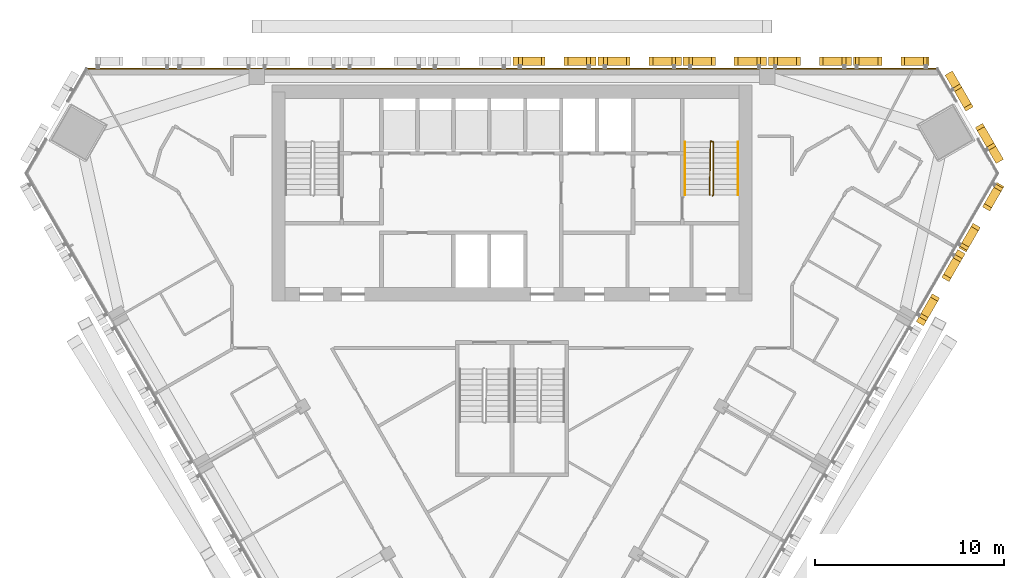
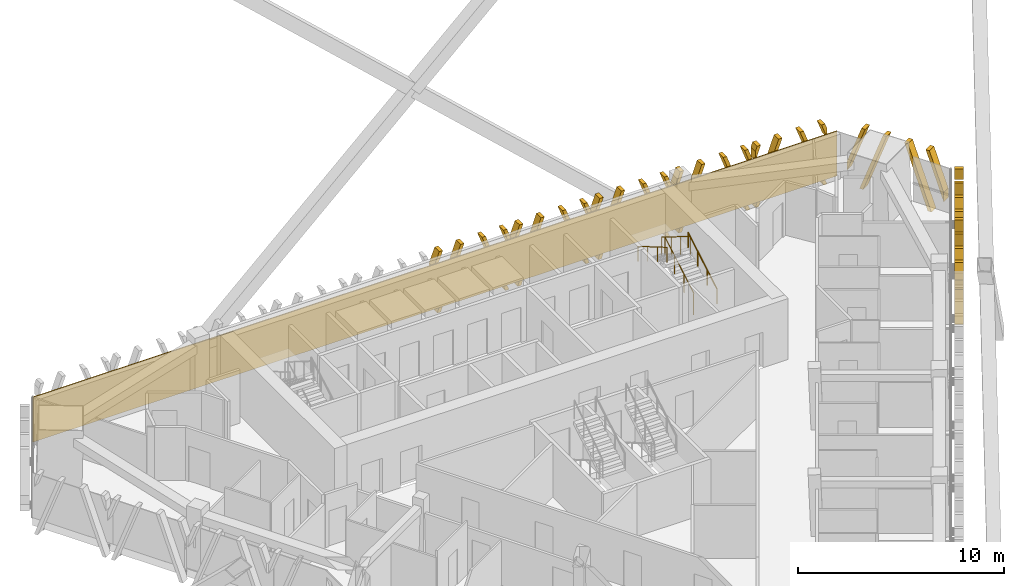
# One storey, part 16 of 17: 8 shading devices, 3 railings, 1 covering.
"""IFC4 building model written with IfcOpenShell, lengths in metres."""

from ifc_helpers import new_model, si_unit, direction, frame, frame_2d, origin, origin_2d, place, context, subcontext, project, spatial, polyline, rectangle, circle, outline, extrude, source, transform, mapped, material, layer, layer_set, type_object, element, save


model = new_model("IFC4")

# Units and contexts
model_context = context("Model", 3, precision=1e-05, world=origin(), true_north=direction((0.0, 1.0)))
body_context = subcontext(model_context, "Body", "Model", "MODEL_VIEW")
ifc_project = project(units=[si_unit("LENGTHUNIT", "METRE"), si_unit("AREAUNIT", "SQUARE_METRE"), si_unit("VOLUMEUNIT", "CUBIC_METRE"), si_unit("PLANEANGLEUNIT", "RADIAN"), si_unit("MASSUNIT", "GRAM", prefix="KILO")], contexts=[model_context])

# Site, building, storey
site_placement = place(None, origin())
site = spatial("IfcSite", under=ifc_project, at=site_placement, CompositionType="ELEMENT")
building_placement = place(site_placement, origin())
building = spatial("IfcBuilding", under=site, at=building_placement, Name="Altiplano Prism Tower", CompositionType="ELEMENT")
storey_placement = place(building_placement, frame((0.0, 0.0, 194.39990234375)))
storey = spatial("IfcBuildingStorey", under=building, at=storey_placement, Name="L50", CompositionType="ELEMENT", Elevation=194.39990234375)

# Railings
ifc_material_1 = material(Name="Steel S355", Category="steel")
railing_type_1 = type_object("IfcRailingType", Name="Stair guard 1100", PredefinedType="GUARDRAIL", material=ifc_material_1)
railing_1_placement = place(storey_placement, frame((95.60009765625, 98.25, 0.0)))
element("IfcRailing", 1, at=railing_1_placement, inside=storey, type_object=railing_type_1, Name="L50 ST2 stair guard 1", PredefinedType="GUARDRAIL", context=body_context, shape_type="SweptSolid", body=[
    extrude(circle(Radius=0.02392578125, at=origin_2d()), frame((0.0, 0.0, 1.076171875), z_axis=(0.279194930351, 0.280563532951, 0.91833234444), x_axis=(-0.708833529934, 0.705375805398, 0.0)), (0.0, 0.0, 1.0), 0.178466796875),
    extrude(circle(Radius=0.02392578125, at=origin_2d()), frame((0.0498046875, 0.050048828125, 1.23974609375), z_axis=(0.0, 0.863393664356, 0.504530851732), x_axis=(-1.0, 0.0, 0.0)), (0.0, 0.0, 1.0), 3.2431640625),
    extrude(circle(Radius=0.02392578125, at=origin_2d()), frame((0.0498046875, 2.85009765625, 2.8759765625), z_axis=(-0.948991962702, 0.315300261223, 0.0), x_axis=(-0.315300261223, -0.948991962702, 0.0)), (0.0, 0.0, 1.0), 0.157958984375),
    extrude(circle(Radius=0.02392578125, at=origin_2d()), frame((-0.10009765625, 2.89990234375, 2.8759765625), z_axis=(-0.014846418356, -0.845376787675, 0.533964109957), x_axis=(0.999845825584, -0.017559187376, 0.0)), (0.0, 0.0, 1.0), 3.37109375),
    extrude(circle(Radius=0.02099609375, at=origin_2d()), origin(), (0.0, 0.0, 1.0), 1.052001953125),
    extrude(circle(Radius=0.02099609375, at=origin_2d()), frame((0.0498046875, 0.050048828125, 0.163818359375)), (0.0, 0.0, 1.0), 1.052001953125),
    extrude(circle(Radius=0.02099609375, at=origin_2d()), frame((0.0498046875, 0.9833984375, 0.709228515625)), (0.0, 0.0, 1.0), 1.052001953125),
    extrude(circle(Radius=0.02099609375, at=origin_2d()), frame((0.0498046875, 1.916748046875, 1.254638671875)), (0.0, 0.0, 1.0), 1.052001953125),
    extrude(circle(Radius=0.02099609375, at=origin_2d()), frame((0.0498046875, 2.85009765625, 1.800048828125)), (0.0, 0.0, 1.0), 1.052001953125),
    extrude(circle(Radius=0.02099609375, at=origin_2d()), frame((-0.10009765625, 2.89990234375, 1.800048828125)), (0.0, 0.0, 1.0), 1.052001953125),
    extrude(circle(Radius=0.02099609375, at=origin_2d()), frame((-0.11669921875, 1.949951171875, 2.400146484375)), (0.0, 0.0, 1.0), 1.052001953125),
    extrude(circle(Radius=0.02099609375, at=origin_2d()), frame((-0.133544921875, 1.0, 3.0)), (0.0, 0.0, 1.0), 1.052001953125),
    extrude(circle(Radius=0.02099609375, at=origin_2d()), frame((-0.150146484375, 0.050048828125, 3.60009765625)), (0.0, 0.0, 1.0), 1.052001953125),
])
railing_type_2 = type_object("IfcRailingType", Name="Stair handrail 900", PredefinedType="HANDRAIL", material=ifc_material_1)
railing_2_placement = place(storey_placement, frame((96.949951171875, 98.300048828125, 0.163818359375)))
element("IfcRailing", 2, at=railing_2_placement, inside=storey, type_object=railing_type_2, Name="L50 ST2 stair handrail 1", PredefinedType="HANDRAIL", context=body_context, shape_type="SweptSolid", body=[
    extrude(circle(Radius=0.02392578125, at=origin_2d()), frame((0.0, 0.0, 0.8759765625), z_axis=(0.0, 0.863393664356, 0.504530851732), x_axis=(-1.0, 0.0, 0.0)), (0.0, 0.0, 1.0), 3.2431640625),
    extrude(circle(Radius=0.02099609375, at=origin_2d()), origin(), (0.0, 0.0, 1.0), 0.851806640625),
    extrude(circle(Radius=0.02099609375, at=origin_2d()), frame((0.0, 0.933349609375, 0.54541015625)), (0.0, 0.0, 1.0), 0.851806640625),
    extrude(circle(Radius=0.02099609375, at=origin_2d()), frame((0.0, 1.86669921875, 1.0908203125)), (0.0, 0.0, 1.0), 0.851806640625),
    extrude(circle(Radius=0.02099609375, at=origin_2d()), frame((0.0, 2.800048828125, 1.63623046875)), (0.0, 0.0, 1.0), 0.851806640625),
])
railing_3_placement = place(storey_placement, frame((94.14990234375, 101.10009765625, 1.963623046875)))
element("IfcRailing", 3, at=railing_3_placement, inside=storey, type_object=railing_type_2, Name="L50 ST2 stair handrail 2", PredefinedType="HANDRAIL", context=body_context, shape_type="SweptSolid", body=[
    extrude(circle(Radius=0.02392578125, at=origin_2d()), frame((0.0, 0.0, 0.8759765625), z_axis=(0.0, -0.863360870873, 0.504586966384), x_axis=(1.0, 0.0, 0.0)), (0.0, 0.0, 1.0), 3.2431640625),
    extrude(circle(Radius=0.02099609375, at=origin_2d()), origin(), (0.0, 0.0, 1.0), 0.851806640625),
    extrude(circle(Radius=0.02099609375, at=origin_2d()), frame((0.0, -0.933349609375, 0.54541015625)), (0.0, 0.0, 1.0), 0.851806640625),
    extrude(circle(Radius=0.02099609375, at=origin_2d()), frame((0.0, -1.86669921875, 1.091064453125)), (0.0, 0.0, 1.0), 0.851806640625),
    extrude(circle(Radius=0.02099609375, at=origin_2d()), frame((0.0, -2.800048828125, 1.636474609375)), (0.0, 0.0, 1.0), 0.851806640625),
])

# Covering
ifc_material_2 = material(Name="Warm limestone cast stone", Category="masonry")
ifc_layer = layer(ifc_material_2, 0.06005859375)
ifc_layer_set = layer_set([ifc_layer], Name="Warm limestone cast stone")
covering_type = type_object("IfcCoveringType", Name="Stone cladding 60", PredefinedType="CLADDING", material=ifc_layer_set)
covering_placement = place(storey_placement, frame((62.48681640625, 104.969970703125, 0.0), z_axis=(0.0, 0.0, 1.0), x_axis=(1.0, 0.0, 0.0)))
element("IfcCovering", 4, at=covering_placement, inside=storey, type_object=covering_type, Name="Stone cladding north face L50", PredefinedType="CLADDING", context=body_context, shape_type="SweptSolid", body=[
    extrude(rectangle(XDim=45.0263671875, YDim=0.06005859375, at=frame_2d((22.51318359375, 0.0))), origin(), (0.0, 0.0, 1.0), 2.650146484375),
])

# Shading devices
shading_device_type_1 = type_object("IfcShadingDeviceType", Name="Stone fin panel, standard unit", PredefinedType="USERDEFINED", material=ifc_material_2)
shared_shape_1 = source(origin(), body_context, "Body", "SweptSolid", [
    extrude(outline(polyline([(-2.199951171875, 2.226318359375), (-1.699951171875, 3.60009765625), (-1.89990234375, 3.60009765625), (-2.199951171875, 2.77587890625), (-2.199951171875, 2.226318359375)])), frame((0.0, -0.14990234375, 0.0), z_axis=(0.0, -1.0, 0.0), x_axis=(1.0, 0.0, 0.0)), (0.0, 0.0, 1.0), 0.4501953125),
    extrude(outline(polyline([(-2.01025390625, 0.0), (-1.810302734375, 0.0), (-0.5, 3.60009765625), (-0.699951171875, 3.60009765625), (-2.01025390625, 0.0)])), frame((0.0, -0.14990234375, 0.0), z_axis=(0.0, -1.0, 0.0), x_axis=(1.0, 0.0, 0.0)), (0.0, 0.0, 1.0), 0.4501953125),
    extrude(outline(polyline([(1.810302734375, 0.0), (2.01025390625, 0.0), (0.699951171875, 3.60009765625), (0.5, 3.60009765625), (1.810302734375, 0.0)])), frame((0.0, -0.14990234375, 0.0), z_axis=(0.0, -1.0, 0.0), x_axis=(1.0, 0.0, 0.0)), (0.0, 0.0, 1.0), 0.4501953125),
    extrude(outline(polyline([(2.199951171875, 2.77587890625), (1.89990234375, 3.60009765625), (1.699951171875, 3.60009765625), (2.199951171875, 2.226318359375), (2.199951171875, 2.77587890625)])), frame((0.0, -0.14990234375, 0.0), z_axis=(0.0, -1.0, 0.0), x_axis=(1.0, 0.0, 0.0)), (0.0, 0.0, 1.0), 0.4501953125),
])
shading_device_1_placement = place(storey_placement, origin())
element("IfcShadingDevice", 5, at=shading_device_1_placement, inside=storey, type_object=shading_device_type_1, Name="Fin L50 north face 2", ObjectType="FIN", PredefinedType="USERDEFINED", context=body_context, shape_type="MappedRepresentation", body=[
    mapped(shared_shape_1, transform((100.75, 105.0, -0.449951171875), x_axis=(-1.0, 0.0, 0.0), y_axis=(0.0, -1.0, 0.0), z_axis=(0.0, 0.0, 1.0))),
])
shading_device_2_placement = place(storey_placement, origin())
element("IfcShadingDevice", 6, at=shading_device_2_placement, inside=storey, type_object=shading_device_type_1, Name="Fin L50 north face 3", ObjectType="FIN", PredefinedType="USERDEFINED", context=body_context, shape_type="MappedRepresentation", body=[
    mapped(shared_shape_1, transform((96.25, 105.0, -0.449951171875), x_axis=(-1.0, 0.0, 0.0), y_axis=(0.0, -1.0, 0.0), z_axis=(0.0, 0.0, 1.0))),
])
shading_device_3_placement = place(storey_placement, origin())
element("IfcShadingDevice", 7, at=shading_device_3_placement, inside=storey, type_object=shading_device_type_1, Name="Fin L50 north face 4", ObjectType="FIN", PredefinedType="USERDEFINED", context=body_context, shape_type="MappedRepresentation", body=[
    mapped(shared_shape_1, transform((91.75, 105.0, -0.449951171875), x_axis=(-1.0, 0.0, 0.0), y_axis=(0.0, -1.0, 0.0), z_axis=(0.0, 0.0, 1.0))),
])
shading_device_4_placement = place(storey_placement, origin())
element("IfcShadingDevice", 8, at=shading_device_4_placement, inside=storey, type_object=shading_device_type_1, Name="Fin L50 north face 5", ObjectType="FIN", PredefinedType="USERDEFINED", context=body_context, shape_type="MappedRepresentation", body=[
    mapped(shared_shape_1, transform((87.25, 105.0, -0.449951171875), x_axis=(-1.0, 0.0, 0.0), y_axis=(0.0, -1.0, 0.0), z_axis=(0.0, 0.0, 1.0))),
])
shading_device_5_placement = place(storey_placement, origin())
element("IfcShadingDevice", 9, at=shading_device_5_placement, inside=storey, type_object=shading_device_type_1, Name="Fin L50 south-east face 9", ObjectType="FIN", PredefinedType="USERDEFINED", context=body_context, shape_type="MappedRepresentation", body=[
    mapped(shared_shape_1, transform((107.342041015625, 93.582275390625, -0.449951171875), x_axis=(0.499999989059, 0.866025410101, 0.0), y_axis=(-0.866025410101, 0.499999989059, 0.0), z_axis=(0.0, 0.0, 1.0))),
])
shading_device_type_2 = type_object("IfcShadingDeviceType", Name="Stone fin panel, chamfer unit", PredefinedType="USERDEFINED", material=ifc_material_2)
shared_shape_2 = source(origin(), body_context, "Body", "SweptSolid", [
    extrude(outline(polyline([(-2.699951171875, 0.8525390625), (-1.699951171875, 3.60009765625), (-1.89990234375, 3.60009765625), (-2.699951171875, 1.402099609375), (-2.699951171875, 0.8525390625)])), frame((0.0, -0.14990234375, 0.0), z_axis=(0.0, -1.0, 0.0), x_axis=(1.0, 0.0, 0.0)), (0.0, 0.0, 1.0), 0.4501953125),
    extrude(outline(polyline([(-2.01025390625, 0.0), (-1.810302734375, 0.0), (-0.5, 3.60009765625), (-0.699951171875, 3.60009765625), (-2.01025390625, 0.0)])), frame((0.0, -0.14990234375, 0.0), z_axis=(0.0, -1.0, 0.0), x_axis=(1.0, 0.0, 0.0)), (0.0, 0.0, 1.0), 0.4501953125),
    extrude(outline(polyline([(1.810302734375, 0.0), (2.01025390625, 0.0), (0.699951171875, 3.60009765625), (0.5, 3.60009765625), (1.810302734375, 0.0)])), frame((0.0, -0.14990234375, 0.0), z_axis=(0.0, -1.0, 0.0), x_axis=(1.0, 0.0, 0.0)), (0.0, 0.0, 1.0), 0.4501953125),
    extrude(outline(polyline([(2.699951171875, 1.402099609375), (1.89990234375, 3.60009765625), (1.699951171875, 3.60009765625), (2.699951171875, 0.8525390625), (2.699951171875, 1.402099609375)])), frame((0.0, -0.14990234375, 0.0), z_axis=(0.0, -1.0, 0.0), x_axis=(1.0, 0.0, 0.0)), (0.0, 0.0, 1.0), 0.4501953125),
])
shading_device_6_placement = place(storey_placement, origin())
element("IfcShadingDevice", 10, at=shading_device_6_placement, inside=storey, type_object=shading_device_type_2, Name="Fin L50 north-east chamfer 1", ObjectType="FIN", PredefinedType="USERDEFINED", context=body_context, shape_type="MappedRepresentation", body=[
    mapped(shared_shape_2, transform((109.118408203125, 102.2197265625, -0.449951171875), x_axis=(-0.499999923104, 0.86602544818, 0.0), y_axis=(-0.86602544818, -0.499999923104, 0.0), z_axis=(0.0, 0.0, 1.0))),
])
shared_shape_3 = source(origin(), body_context, "Body", "SweptSolid", [
    extrude(outline(polyline([(-2.0, 0.0), (-1.810302734375, 0.0), (-0.5, 3.60009765625), (-0.699951171875, 3.60009765625), (-2.0, 0.0283203125), (-2.0, 0.0)])), frame((0.0, -0.14990234375, 0.0), z_axis=(0.0, -1.0, 0.0), x_axis=(1.0, 0.0, 0.0)), (0.0, 0.0, 1.0), 0.4501953125),
    extrude(outline(polyline([(-2.0, 2.77587890625), (-1.699951171875, 3.60009765625), (-1.89990234375, 3.60009765625), (-2.0, 3.3251953125), (-2.0, 2.77587890625)])), frame((0.0, -0.14990234375, 0.0), z_axis=(0.0, -1.0, 0.0), x_axis=(1.0, 0.0, 0.0)), (0.0, 0.0, 1.0), 0.4501953125),
    extrude(outline(polyline([(1.810302734375, 0.0), (2.0, 0.0), (2.0, 0.0283203125), (0.699951171875, 3.60009765625), (0.5, 3.60009765625), (1.810302734375, 0.0)])), frame((0.0, -0.14990234375, 0.0), z_axis=(0.0, -1.0, 0.0), x_axis=(1.0, 0.0, 0.0)), (0.0, 0.0, 1.0), 0.4501953125),
    extrude(outline(polyline([(2.0, 3.3251953125), (1.89990234375, 3.60009765625), (1.699951171875, 3.60009765625), (2.0, 2.77587890625), (2.0, 3.3251953125)])), frame((0.0, -0.14990234375, 0.0), z_axis=(0.0, -1.0, 0.0), x_axis=(1.0, 0.0, 0.0)), (0.0, 0.0, 1.0), 0.4501953125),
])
shading_device_7_placement = place(storey_placement, origin())
element("IfcShadingDevice", 11, at=shading_device_7_placement, inside=storey, type_object=shading_device_type_1, Name="Fin L50 north face 1", ObjectType="FIN", PredefinedType="USERDEFINED", context=body_context, shape_type="MappedRepresentation", body=[
    mapped(shared_shape_3, transform((105.056640625, 105.0, -0.449951171875), x_axis=(-1.0, 0.0, 0.0), y_axis=(0.0, -1.0, 0.0), z_axis=(0.0, 0.0, 1.0))),
])
shading_device_8_placement = place(storey_placement, origin())
element("IfcShadingDevice", 12, at=shading_device_8_placement, inside=storey, type_object=shading_device_type_1, Name="Fin L50 south-east face 10", ObjectType="FIN", PredefinedType="USERDEFINED", context=body_context, shape_type="MappedRepresentation", body=[
    mapped(shared_shape_3, transform((109.495361328125, 97.31201171875, -0.449951171875), x_axis=(0.499999989059, 0.866025410101, 0.0), y_axis=(-0.866025410101, 0.499999989059, 0.0), z_axis=(0.0, 0.0, 1.0))),
])

save(model, "model.ifc")
